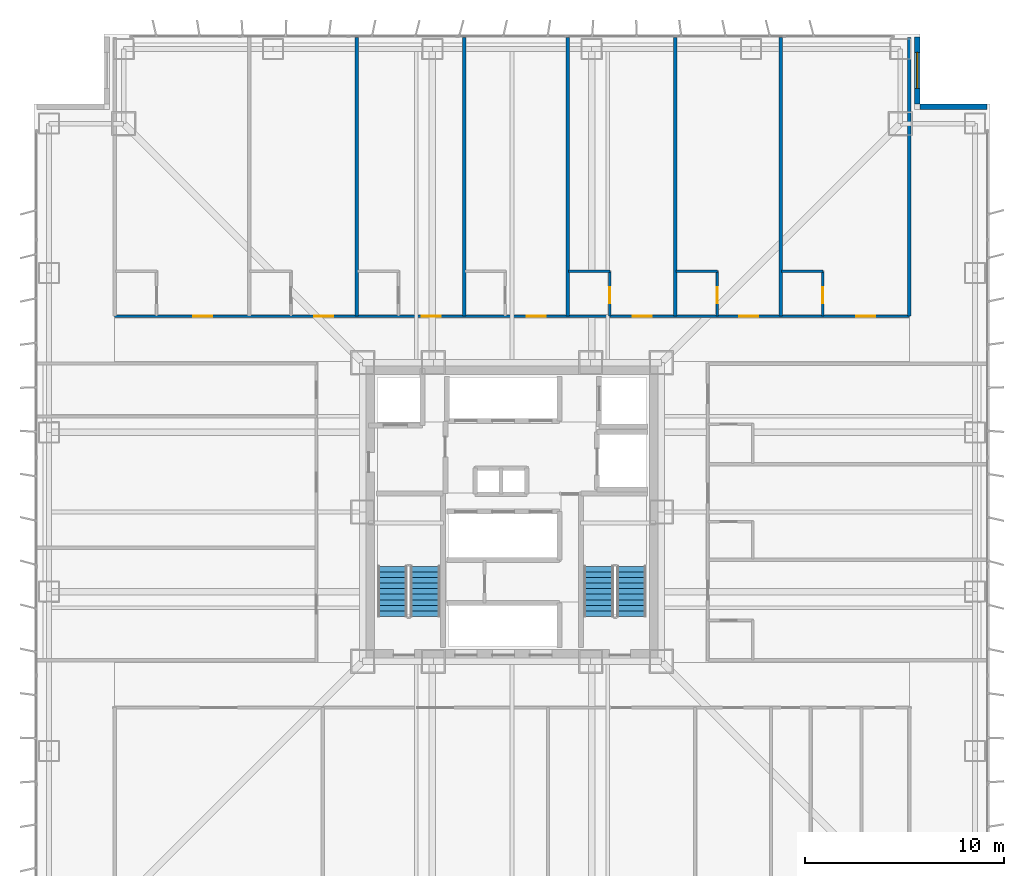
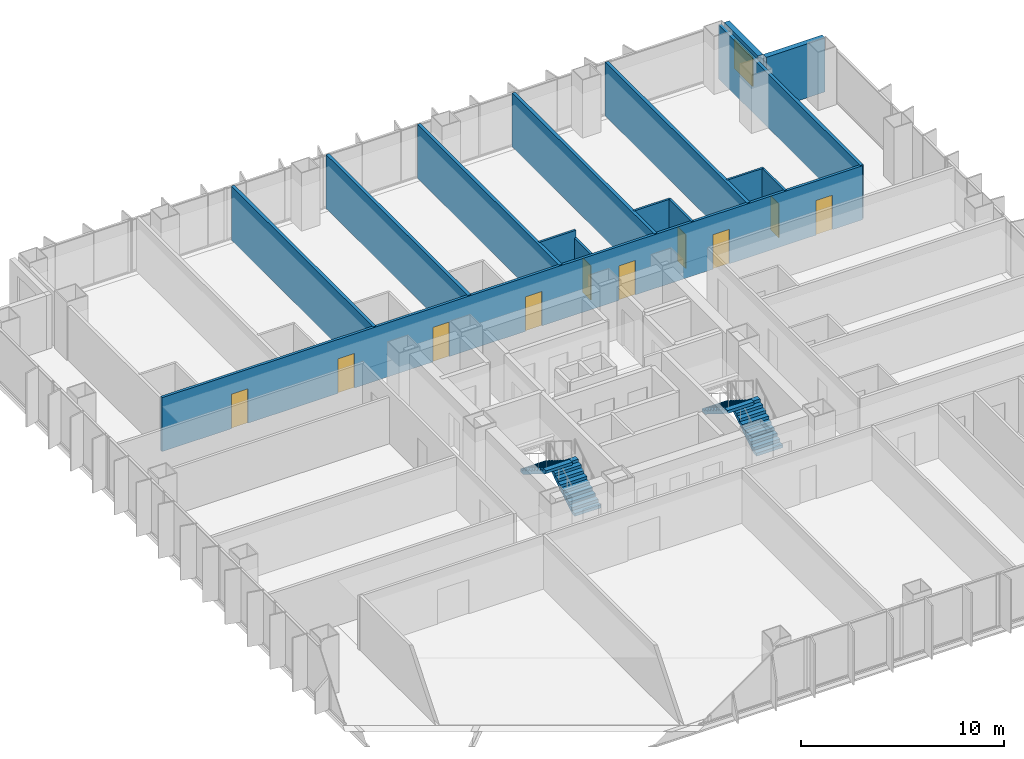
# One storey, part 13 of 17: 15 walls, 10 doors, 4 stair flights, 1 window, 11 openings, 2 elements without a shape of their own.
"""IFC4 building model written with IfcOpenShell, lengths in metres."""

from ifc_helpers import new_model, si_unit, direction, frame, frame_2d, origin, place, context, subcontext, project, spatial, polyline, rectangle, outline, extrude, material, layer, layer_set, type_object, element, fill, aggregate, save


model = new_model("IFC4")

# Units and contexts
model_context = context("Model", 3, precision=1e-05, world=origin(), true_north=direction((0.0, 1.0)))
body_context = subcontext(model_context, "Body", "Model", "MODEL_VIEW")
ifc_project = project(units=[si_unit("LENGTHUNIT", "METRE"), si_unit("AREAUNIT", "SQUARE_METRE"), si_unit("VOLUMEUNIT", "CUBIC_METRE"), si_unit("PLANEANGLEUNIT", "RADIAN"), si_unit("MASSUNIT", "GRAM", prefix="KILO")], contexts=[model_context])

# Site, building, storey
site_placement = place(None, origin())
site = spatial("IfcSite", under=ifc_project, at=site_placement, CompositionType="ELEMENT")
building_placement = place(site_placement, origin())
building = spatial("IfcBuilding", under=site, at=building_placement, Name="Trevonay Congress Spire", CompositionType="ELEMENT")
storey_placement = place(building_placement, frame((0.0, 0.0, 69.0)))
storey = spatial("IfcBuildingStorey", under=building, at=storey_placement, Name="L17", CompositionType="ELEMENT", Elevation=69.0)

# Wall, opening, door
ifc_material_1 = material(Name="Concrete C40/50", Category="concrete")
ifc_layer_1 = layer(ifc_material_1, 0.1201171875, Name="Concrete C40/50")
ifc_layer_set_1 = layer_set([ifc_layer_1], Name="Concrete C40/50")
wall_type_1 = type_object("IfcWallType", Name="WAL-BATH-120", PredefinedType="PLUMBINGWALL", material=ifc_layer_set_1)
wall_1_placement = place(storey_placement, frame((4.89990234375, 9.830078125, 0.0), z_axis=(0.0, 0.0, 1.0), x_axis=(0.0, 1.0, 0.0)))
wall_1 = element("IfcWall", 1, at=wall_1_placement, inside=storey, type_object=wall_type_1, Name="L17 interior wall WH-L17N-BS5", PredefinedType="PLUMBINGWALL", context=body_context, shape_type="SweptSolid", body=[
    extrude(rectangle(XDim=2.25, YDim=0.1201171875, at=frame_2d((1.125, 0.0))), origin(), (0.0, 0.0, 1.0), 2.818115234375),
])
opening_1_placement = place(wall_1_placement, frame((0.64990234375, 0.0, 0.0)))
opening_1 = element("IfcOpeningElement", 2, at=opening_1_placement, cuts=wall_1, Name="Opening D11", PredefinedType="OPENING", context=body_context, shape_type="SweptSolid", body=[
    extrude(rectangle(XDim=0.800048828125, YDim=2.050048828125, at=frame_2d((0.39990234375, 1.02490234375))), frame((0.0, 0.070068359375, 0.0), z_axis=(0.0, -1.0, 0.0), x_axis=(1.0, 0.0, 0.0)), (0.0, 0.0, 1.0), 0.14013671875),
])
ifc_material_2 = material(Name="Pale Anodised Aluminium EN AW-6063-T6", Category="aluminium")
door_type_1 = type_object("IfcDoorType", Name="DOR-BATH-80", OperationType="NOTDEFINED", PredefinedType="DOOR", material=ifc_material_2)
door_1_placement = place(opening_1_placement, origin())
door_1 = element("IfcDoor", 3, at=door_1_placement, inside=storey, type_object=door_type_1, Name="L17 En-suite Bathroom Door", OperationType="SINGLE_SWING_RIGHT", OverallHeight=2.050048828125, OverallWidth=0.800048828125, PredefinedType="DOOR", context=body_context, shape_type="SweptSolid", body=[
    extrude(rectangle(XDim=0.800048828125, YDim=2.050048828125, at=frame_2d((0.39990234375, 1.02490234375))), frame((0.0, 0.02490234375, 0.0), z_axis=(0.0, -1.0, 0.0), x_axis=(1.0, 0.0, 0.0)), (0.0, 0.0, 1.0), 0.050048828125),
])
fill(opening_1, door_1)

# Wall
wall_2_placement = place(storey_placement, frame((2.830078125, 12.080078125, 0.0), z_axis=(0.0, 0.0, 1.0), x_axis=(1.0, 0.0, 0.0)))
element("IfcWall", 4, at=wall_2_placement, inside=storey, type_object=wall_type_1, Name="L17 interior wall WH-L17N-BF5", PredefinedType="PLUMBINGWALL", context=body_context, shape_type="SweptSolid", body=[
    extrude(rectangle(XDim=2.099853515625, YDim=0.1201171875, at=frame_2d((1.0498046875, 0.0))), origin(), (0.0, 0.0, 1.0), 3.25),
])

# Wall, opening, door
wall_3_placement = place(storey_placement, frame((10.300048828125, 9.830078125, 0.0), z_axis=(0.0, 0.0, 1.0), x_axis=(0.0, 1.0, 0.0)))
wall_3 = element("IfcWall", 5, at=wall_3_placement, inside=storey, type_object=wall_type_1, Name="L17 interior wall WH-L17N-BS6", PredefinedType="PLUMBINGWALL", context=body_context, shape_type="SweptSolid", body=[
    extrude(rectangle(XDim=2.25, YDim=0.1201171875, at=frame_2d((1.125, 0.0))), origin(), (0.0, 0.0, 1.0), 3.25),
])
opening_2_placement = place(wall_3_placement, frame((0.64990234375, 0.0, 0.0)))
opening_2 = element("IfcOpeningElement", 6, at=opening_2_placement, cuts=wall_3, Name="Opening D11", PredefinedType="OPENING", context=body_context, shape_type="SweptSolid", body=[
    extrude(rectangle(XDim=0.800048828125, YDim=2.050048828125, at=frame_2d((0.39990234375, 1.02490234375))), frame((0.0, 0.070068359375, 0.0), z_axis=(0.0, -1.0, 0.0), x_axis=(1.0, 0.0, 0.0)), (0.0, 0.0, 1.0), 0.14013671875),
])
door_2_placement = place(opening_2_placement, origin())
door_2 = element("IfcDoor", 7, at=door_2_placement, inside=storey, type_object=door_type_1, Name="L17 En-suite Bathroom Door", OperationType="SINGLE_SWING_LEFT", OverallHeight=2.050048828125, OverallWidth=0.800048828125, PredefinedType="DOOR", context=body_context, shape_type="SweptSolid", body=[
    extrude(rectangle(XDim=0.800048828125, YDim=2.050048828125, at=frame_2d((0.39990234375, 1.02490234375))), frame((0.0, 0.02490234375, 0.0), z_axis=(0.0, -1.0, 0.0), x_axis=(1.0, 0.0, 0.0)), (0.0, 0.0, 1.0), 0.050048828125),
])
fill(opening_2, door_2)

# Wall
wall_4_placement = place(storey_placement, frame((8.22998046875, 12.080078125, 0.0), z_axis=(0.0, 0.0, 1.0), x_axis=(1.0, 0.0, 0.0)))
element("IfcWall", 8, at=wall_4_placement, inside=storey, type_object=wall_type_1, Name="L17 interior wall WH-L17N-BF6", PredefinedType="PLUMBINGWALL", context=body_context, shape_type="SweptSolid", body=[
    extrude(rectangle(XDim=2.10009765625, YDim=0.1201171875, at=frame_2d((1.050048828125, 0.0))), origin(), (0.0, 0.0, 1.0), 3.25),
])

# Wall, opening, door
wall_5_placement = place(storey_placement, frame((15.60009765625, 9.830078125, 0.0), z_axis=(0.0, 0.0, 1.0), x_axis=(0.0, 1.0, 0.0)))
wall_5 = element("IfcWall", 9, at=wall_5_placement, inside=storey, type_object=wall_type_1, Name="L17 interior wall WH-L17N-BS7", PredefinedType="PLUMBINGWALL", context=body_context, shape_type="SweptSolid", body=[
    extrude(rectangle(XDim=2.25, YDim=0.1201171875, at=frame_2d((1.125, 0.0))), origin(), (0.0, 0.0, 1.0), 3.25),
])
opening_3_placement = place(wall_5_placement, frame((0.64990234375, 0.0, 0.0)))
opening_3 = element("IfcOpeningElement", 10, at=opening_3_placement, cuts=wall_5, Name="Opening D11", PredefinedType="OPENING", context=body_context, shape_type="SweptSolid", body=[
    extrude(rectangle(XDim=0.800048828125, YDim=2.050048828125, at=frame_2d((0.39990234375, 1.02490234375))), frame((0.0, 0.070068359375, 0.0), z_axis=(0.0, -1.0, 0.0), x_axis=(1.0, 0.0, 0.0)), (0.0, 0.0, 1.0), 0.14013671875),
])
door_3_placement = place(opening_3_placement, origin())
door_3 = element("IfcDoor", 11, at=door_3_placement, inside=storey, type_object=door_type_1, Name="L17 En-suite Bathroom Door", OperationType="SINGLE_SWING_RIGHT", OverallHeight=2.050048828125, OverallWidth=0.800048828125, PredefinedType="DOOR", context=body_context, shape_type="SweptSolid", body=[
    extrude(rectangle(XDim=0.800048828125, YDim=2.050048828125, at=frame_2d((0.39990234375, 1.02490234375))), frame((0.0, 0.02490234375, 0.0), z_axis=(0.0, -1.0, 0.0), x_axis=(1.0, 0.0, 0.0)), (0.0, 0.0, 1.0), 0.050048828125),
])
fill(opening_3, door_3)

# Wall
wall_6_placement = place(storey_placement, frame((13.530029296875, 12.080078125, 0.0), z_axis=(0.0, 0.0, 1.0), x_axis=(1.0, 0.0, 0.0)))
element("IfcWall", 12, at=wall_6_placement, inside=storey, type_object=wall_type_1, Name="L17 interior wall WH-L17N-BF7", PredefinedType="PLUMBINGWALL", context=body_context, shape_type="SweptSolid", body=[
    extrude(rectangle(XDim=2.099853515625, YDim=0.1201171875, at=frame_2d((1.0498046875, 0.0))), origin(), (0.0, 0.0, 1.0), 3.25),
])

# Wall, openings, doors
ifc_layer_2 = layer(ifc_material_1, 0.14990234375, Name="Concrete C40/50")
ifc_layer_set_2 = layer_set([ifc_layer_2], Name="Concrete C40/50")
wall_type_2 = type_object("IfcWallType", Name="WAL-CORR-150", PredefinedType="PARTITIONING", material=ifc_layer_set_2)
wall_7_placement = place(storey_placement, frame((-19.949951171875, 9.830078125, 0.0), z_axis=(0.0, 0.0, 1.0), x_axis=(1.0, 0.0, 0.0)))
wall_7 = element("IfcWall", 13, at=wall_7_placement, inside=storey, type_object=wall_type_2, Name="L17 interior wall WH-L17N-COR", PredefinedType="PARTITIONING", context=body_context, shape_type="SweptSolid", body=[
    extrude(rectangle(XDim=39.89990234375, YDim=0.14990234375, at=frame_2d((19.949951171875, 0.0))), origin(), (0.0, 0.0, 1.0), 3.25),
])
opening_4_placement = place(wall_7_placement, frame((3.945068359375, 0.0, 0.0)))
opening_4 = element("IfcOpeningElement", 14, at=opening_4_placement, cuts=wall_7, Name="Opening D08", PredefinedType="OPENING", context=body_context, shape_type="SweptSolid", body=[
    extrude(rectangle(XDim=0.949951171875, YDim=2.080078125, at=frame_2d((0.47509765625, 1.0400390625))), frame((0.0, 0.0849609375, 0.0), z_axis=(0.0, -1.0, 0.0), x_axis=(1.0, 0.0, 0.0)), (0.0, 0.0, 1.0), 0.169921875),
])
opening_5_placement = place(wall_7_placement, frame((10.02001953125, 0.0, 0.0)))
opening_5 = element("IfcOpeningElement", 15, at=opening_5_placement, cuts=wall_7, Name="Opening D08", PredefinedType="OPENING", context=body_context, shape_type="SweptSolid", body=[
    extrude(rectangle(XDim=0.949951171875, YDim=2.080078125, at=frame_2d((0.47509765625, 1.0400390625))), frame((0.0, 0.0849609375, 0.0), z_axis=(0.0, -1.0, 0.0), x_axis=(1.0, 0.0, 0.0)), (0.0, 0.0, 1.0), 0.169921875),
])
opening_6_placement = place(wall_7_placement, frame((15.419921875, 0.0, 0.0)))
opening_6 = element("IfcOpeningElement", 16, at=opening_6_placement, cuts=wall_7, Name="Opening D08", PredefinedType="OPENING", context=body_context, shape_type="SweptSolid", body=[
    extrude(rectangle(XDim=0.949951171875, YDim=2.080078125, at=frame_2d((0.47509765625, 1.0400390625))), frame((0.0, 0.0849609375, 0.0), z_axis=(0.0, -1.0, 0.0), x_axis=(1.0, 0.0, 0.0)), (0.0, 0.0, 1.0), 0.169921875),
])
opening_7_placement = place(wall_7_placement, frame((20.702392578125, 0.0, 0.0)))
opening_7 = element("IfcOpeningElement", 17, at=opening_7_placement, cuts=wall_7, Name="Opening D08", PredefinedType="OPENING", context=body_context, shape_type="SweptSolid", body=[
    extrude(rectangle(XDim=0.949951171875, YDim=2.080078125, at=frame_2d((0.47509765625, 1.0400390625))), frame((0.0, 0.0849609375, 0.0), z_axis=(0.0, -1.0, 0.0), x_axis=(1.0, 0.0, 0.0)), (0.0, 0.0, 1.0), 0.169921875),
])
opening_8_placement = place(wall_7_placement, frame((26.02001953125, 0.0, 0.0)))
opening_8 = element("IfcOpeningElement", 18, at=opening_8_placement, cuts=wall_7, Name="Opening D08", PredefinedType="OPENING", context=body_context, shape_type="SweptSolid", body=[
    extrude(rectangle(XDim=0.949951171875, YDim=2.080078125, at=frame_2d((0.47509765625, 1.0400390625))), frame((0.0, 0.0849609375, 0.0), z_axis=(0.0, -1.0, 0.0), x_axis=(1.0, 0.0, 0.0)), (0.0, 0.0, 1.0), 0.169921875),
])
opening_9_placement = place(wall_7_placement, frame((31.3701171875, 0.0, 0.0)))
opening_9 = element("IfcOpeningElement", 19, at=opening_9_placement, cuts=wall_7, Name="Opening D08", PredefinedType="OPENING", context=body_context, shape_type="SweptSolid", body=[
    extrude(rectangle(XDim=0.949951171875, YDim=2.080078125, at=frame_2d((0.47509765625, 1.0400390625))), frame((0.0, 0.0849609375, 0.0), z_axis=(0.0, -1.0, 0.0), x_axis=(1.0, 0.0, 0.0)), (0.0, 0.0, 1.0), 0.169921875),
])
opening_10_placement = place(wall_7_placement, frame((37.2451171875, 0.0, 0.0)))
opening_10 = element("IfcOpeningElement", 20, at=opening_10_placement, cuts=wall_7, Name="Opening D08", PredefinedType="OPENING", context=body_context, shape_type="SweptSolid", body=[
    extrude(rectangle(XDim=0.949951171875, YDim=2.080078125, at=frame_2d((0.47509765625, 1.0400390625))), frame((0.0, 0.0849609375, 0.0), z_axis=(0.0, -1.0, 0.0), x_axis=(1.0, 0.0, 0.0)), (0.0, 0.0, 1.0), 0.169921875),
])
door_type_2 = type_object("IfcDoorType", Name="DOR-SUITE-95", OperationType="NOTDEFINED", PredefinedType="DOOR", material=ifc_material_2)
door_4_placement = place(opening_4_placement, origin())
door_4 = element("IfcDoor", 21, at=door_4_placement, inside=storey, type_object=door_type_2, Name="L17 Corner Hotel Suite Entrance Door", OperationType="SINGLE_SWING_LEFT", OverallHeight=2.080078125, OverallWidth=0.949951171875, PredefinedType="DOOR", context=body_context, shape_type="SweptSolid", body=[
    extrude(rectangle(XDim=0.949951171875, YDim=2.080078125, at=frame_2d((0.47509765625, 1.0400390625))), frame((0.0, 0.02490234375, 0.0), z_axis=(0.0, -1.0, 0.0), x_axis=(1.0, 0.0, 0.0)), (0.0, 0.0, 1.0), 0.050048828125),
])
fill(opening_4, door_4)
door_5_placement = place(opening_5_placement, origin())
door_5 = element("IfcDoor", 22, at=door_5_placement, inside=storey, type_object=door_type_2, Name="L17 Hotel Guest Room Entrance Door", OperationType="SINGLE_SWING_RIGHT", OverallHeight=2.080078125, OverallWidth=0.949951171875, PredefinedType="DOOR", context=body_context, shape_type="SweptSolid", body=[
    extrude(rectangle(XDim=0.949951171875, YDim=2.080078125, at=frame_2d((0.47509765625, 1.0400390625))), frame((0.0, 0.02490234375, 0.0), z_axis=(0.0, -1.0, 0.0), x_axis=(1.0, 0.0, 0.0)), (0.0, 0.0, 1.0), 0.050048828125),
])
fill(opening_5, door_5)
door_6_placement = place(opening_6_placement, origin())
door_6 = element("IfcDoor", 23, at=door_6_placement, inside=storey, type_object=door_type_2, Name="L17 Hotel Guest Room Entrance Door", OperationType="SINGLE_SWING_LEFT", OverallHeight=2.080078125, OverallWidth=0.949951171875, PredefinedType="DOOR", context=body_context, shape_type="SweptSolid", body=[
    extrude(rectangle(XDim=0.949951171875, YDim=2.080078125, at=frame_2d((0.47509765625, 1.0400390625))), frame((0.0, 0.02490234375, 0.0), z_axis=(0.0, -1.0, 0.0), x_axis=(1.0, 0.0, 0.0)), (0.0, 0.0, 1.0), 0.050048828125),
])
fill(opening_6, door_6)
door_7_placement = place(opening_7_placement, origin())
door_7 = element("IfcDoor", 24, at=door_7_placement, inside=storey, type_object=door_type_2, Name="L17 Hotel Guest Room Entrance Door", OperationType="SINGLE_SWING_RIGHT", OverallHeight=2.080078125, OverallWidth=0.949951171875, PredefinedType="DOOR", context=body_context, shape_type="SweptSolid", body=[
    extrude(rectangle(XDim=0.949951171875, YDim=2.080078125, at=frame_2d((0.47509765625, 1.0400390625))), frame((0.0, 0.02490234375, 0.0), z_axis=(0.0, -1.0, 0.0), x_axis=(1.0, 0.0, 0.0)), (0.0, 0.0, 1.0), 0.050048828125),
])
fill(opening_7, door_7)
door_8_placement = place(opening_8_placement, origin())
door_8 = element("IfcDoor", 25, at=door_8_placement, inside=storey, type_object=door_type_2, Name="L17 Hotel Guest Room Entrance Door", OperationType="SINGLE_SWING_LEFT", OverallHeight=2.080078125, OverallWidth=0.949951171875, PredefinedType="DOOR", context=body_context, shape_type="SweptSolid", body=[
    extrude(rectangle(XDim=0.949951171875, YDim=2.080078125, at=frame_2d((0.47509765625, 1.0400390625))), frame((0.0, 0.02490234375, 0.0), z_axis=(0.0, -1.0, 0.0), x_axis=(1.0, 0.0, 0.0)), (0.0, 0.0, 1.0), 0.050048828125),
])
fill(opening_8, door_8)
door_9_placement = place(opening_9_placement, origin())
door_9 = element("IfcDoor", 26, at=door_9_placement, inside=storey, type_object=door_type_2, Name="L17 Hotel Guest Room Entrance Door", OperationType="SINGLE_SWING_RIGHT", OverallHeight=2.080078125, OverallWidth=0.949951171875, PredefinedType="DOOR", context=body_context, shape_type="SweptSolid", body=[
    extrude(rectangle(XDim=0.949951171875, YDim=2.080078125, at=frame_2d((0.47509765625, 1.0400390625))), frame((0.0, 0.02490234375, 0.0), z_axis=(0.0, -1.0, 0.0), x_axis=(1.0, 0.0, 0.0)), (0.0, 0.0, 1.0), 0.050048828125),
])
fill(opening_9, door_9)
door_10_placement = place(opening_10_placement, origin())
door_10 = element("IfcDoor", 27, at=door_10_placement, inside=storey, type_object=door_type_2, Name="L17 Corner Hotel Suite Entrance Door", OperationType="SINGLE_SWING_LEFT", OverallHeight=2.080078125, OverallWidth=0.949951171875, PredefinedType="DOOR", context=body_context, shape_type="SweptSolid", body=[
    extrude(rectangle(XDim=0.949951171875, YDim=2.080078125, at=frame_2d((0.47509765625, 1.0400390625))), frame((0.0, 0.02490234375, 0.0), z_axis=(0.0, -1.0, 0.0), x_axis=(1.0, 0.0, 0.0)), (0.0, 0.0, 1.0), 0.050048828125),
])
fill(opening_10, door_10)

# Wall, opening, window
ifc_material_3 = material(Name="Precast concrete C40/50", Category="concrete")
ifc_layer_3 = layer(ifc_material_3, 0.300048828125, Name="Precast concrete C40/50")
ifc_layer_set_3 = layer_set([ifc_layer_3], Name="Precast concrete C40/50")
wall_type_3 = type_object("IfcWallType", Name="WAL-EXT-PRECAST-300", PredefinedType="SOLIDWALL", material=ifc_layer_set_3)
wall_8_placement = place(storey_placement, frame((20.35009765625, 23.85009765625, 0.0), z_axis=(0.0, 0.0, 1.0), x_axis=(0.0, -1.0, 0.0)))
wall_8 = element("IfcWall", 28, at=wall_8_placement, inside=storey, type_object=wall_type_3, Name="L17 NE re-entrant notch exterior wall 1", PredefinedType="SOLIDWALL", context=body_context, shape_type="SweptSolid", body=[
    extrude(rectangle(XDim=3.35009765625, YDim=0.300048828125, at=frame_2d((1.675048828125, 0.0))), origin(), (0.0, 0.0, 1.0), 3.25),
])
opening_11_placement = place(wall_8_placement, frame((0.77490234375, 0.0, 0.89990234375)))
opening_11 = element("IfcOpeningElement", 29, at=opening_11_placement, cuts=wall_8, Name="Opening WN01", PredefinedType="OPENING", context=body_context, shape_type="SweptSolid", body=[
    extrude(rectangle(XDim=1.800048828125, YDim=1.800048828125, at=frame_2d((0.89990234375, 0.89990234375))), frame((0.0, 0.16015625, 0.0), z_axis=(0.0, -1.0, 0.0), x_axis=(1.0, 0.0, 0.0)), (0.0, 0.0, 1.0), 0.320068359375),
])
ifc_material_4 = material(Name="Insulated Low-E Vision Glass IGU", Category="glass")
window_type = type_object("IfcWindowType", Name="WIN-HOTEL-180X180", PartitioningType="SINGLE_PANEL", PredefinedType="WINDOW", material=ifc_material_4)
window_placement = place(opening_11_placement, origin())
window = element("IfcWindow", 30, at=window_placement, inside=storey, type_object=window_type, Name="L17 NE corner notch window", OverallHeight=1.800048828125, OverallWidth=1.800048828125, PartitioningType="SINGLE_PANEL", PredefinedType="WINDOW", context=body_context, shape_type="SweptSolid", body=[
    extrude(rectangle(XDim=1.800048828125, YDim=1.800048828125, at=frame_2d((0.89990234375, 0.89990234375))), frame((0.0, 0.030029296875, 0.0), z_axis=(0.0, -1.0, 0.0), x_axis=(1.0, 0.0, 0.0)), (0.0, 0.0, 1.0), 0.06005859375),
])
fill(opening_11, window)

# Walls
wall_9_placement = place(storey_placement, frame((23.85009765625, 20.35009765625, 0.0), z_axis=(0.0, 0.0, 1.0), x_axis=(-1.0, 0.0, 0.0)))
element("IfcWall", 31, at=wall_9_placement, inside=storey, type_object=wall_type_3, Name="L17 NE re-entrant notch exterior wall 2", PredefinedType="SOLIDWALL", context=body_context, shape_type="SweptSolid", body=[
    extrude(rectangle(XDim=3.35009765625, YDim=0.300048828125, at=frame_2d((1.675048828125, 0.0))), origin(), (0.0, 0.0, 1.0), 3.25),
])
ifc_layer_4 = layer(ifc_material_1, 0.179931640625, Name="Concrete C40/50")
ifc_layer_set_4 = layer_set([ifc_layer_4], Name="Concrete C40/50")
wall_type_4 = type_object("IfcWallType", Name="WAL-HOTEL-180", PredefinedType="PARTITIONING", material=ifc_layer_set_4)
for number, where, z_axis, x_axis, name in (
    (32, (-7.800048828125, 9.830078125, 0.0), (0.0, 0.0, 1.0), (0.0, 1.0, 0.0), "L17 interior wall WH-L17N-DIV3"),
    (33, (-2.39990234375, 9.830078125, 0.0), (0.0, 0.0, 1.0), (0.0, 1.0, 0.0), "L17 interior wall WH-L17N-DIV4"),
    (34, (2.800048828125, 9.830078125, 0.0), (0.0, 0.0, 1.0), (0.0, 1.0, 0.0), "L17 interior wall WH-L17N-DIV5"),
    (35, (8.199951171875, 9.830078125, 0.0), (0.0, 0.0, 1.0), (0.0, 1.0, 0.0), "L17 interior wall WH-L17N-DIV6"),
    (36, (13.5, 9.830078125, 0.0), (0.0, 0.0, 1.0), (0.0, 1.0, 0.0), "L17 interior wall WH-L17N-DIV7"),
    (37, (19.949951171875, 9.830078125, 0.0), (0.0, 0.0, 1.0), (0.0, 1.0, 0.0), "L17 interior wall WH-L17N-DIV8"),
):
    element("IfcWall", number, at=place(storey_placement, frame(where, z_axis=z_axis, x_axis=x_axis)), inside=storey, type_object=wall_type_4, Name=name, PredefinedType="PARTITIONING", context=body_context, shape_type="SweptSolid", body=[
        extrude(rectangle(XDim=13.989990234375, YDim=0.179931640625, at=frame_2d((6.9951171875, 0.0))), origin(), (0.0, 0.0, 1.0), 3.25),
    ])

# Stair, stair flights
stair_type_1 = type_object("IfcStairType", Name="STR-ST-1", PredefinedType="HALF_TURN_STAIR", material=ifc_material_1)
stair_1_placement = place(storey_placement, origin())
stair_1 = element("IfcStair", 38, at=stair_1_placement, inside=storey, type_object=stair_type_1, Name="L17 Protected Exit Stair ST-1", PredefinedType="HALF_TURN_STAIR")
stair_flight_type_1 = type_object("IfcStairFlightType", Name="SFL-ST-1", PredefinedType="STRAIGHT", material=ifc_material_1)
stair_flight_1_placement = place(storey_placement, frame((-4.35009765625, -5.25, 0.0), z_axis=(0.0, 0.0, 1.0), x_axis=(0.0, 1.0, 0.0)))
stair_flight_1 = element("IfcStairFlight", 39, at=stair_flight_1_placement, type_object=stair_flight_type_1, Name="ST-1 flight 1", NumberOfRisers=10, NumberOfTreads=9, PredefinedType="STRAIGHT", RiserHeight=0.175, TreadLength=0.28, context=body_context, shape_type="SweptSolid", body=[
    extrude(outline(polyline([(0.0, 0.0), (0.0, 0.175048828125), (0.280029296875, 0.175048828125), (0.280029296875, 0.35009765625), (0.56005859375, 0.35009765625), (0.56005859375, 0.52490234375), (0.840087890625, 0.52490234375), (0.840087890625, 0.699951171875), (1.1201171875, 0.699951171875), (1.1201171875, 0.875), (1.39990234375, 0.875), (1.39990234375, 1.050048828125), (1.679931640625, 1.050048828125), (1.679931640625, 1.22509765625), (1.9599609375, 1.22509765625), (1.9599609375, 1.39990234375), (2.239990234375, 1.39990234375), (2.239990234375, 1.574951171875), (2.52001953125, 1.574951171875), (2.52001953125, 1.75), (2.52001953125, 1.398193359375), (0.28271484375, 0.0), (0.0, 0.0)])), frame((0.0, 0.75, 0.0), z_axis=(0.0, -1.0, 0.0), x_axis=(1.0, 0.0, 0.0)), (0.0, 0.0, 1.0), 1.5),
])
stair_flight_2_placement = place(storey_placement, frame((-6.0, -2.72998046875, 1.75), z_axis=(0.0, 0.0, 1.0), x_axis=(0.0, -1.0, 0.0)))
stair_flight_2 = element("IfcStairFlight", 40, at=stair_flight_2_placement, type_object=stair_flight_type_1, Name="ST-1 flight 2", NumberOfRisers=10, NumberOfTreads=9, PredefinedType="STRAIGHT", RiserHeight=0.175, TreadLength=0.28, context=body_context, shape_type="SweptSolid", body=[
    extrude(outline(polyline([(0.0, 0.0), (0.0, 0.175048828125), (0.280029296875, 0.175048828125), (0.280029296875, 0.35009765625), (0.56005859375, 0.35009765625), (0.56005859375, 0.52490234375), (0.840087890625, 0.52490234375), (0.840087890625, 0.699951171875), (1.1201171875, 0.699951171875), (1.1201171875, 0.875), (1.39990234375, 0.875), (1.39990234375, 1.050048828125), (1.679931640625, 1.050048828125), (1.679931640625, 1.22509765625), (1.9599609375, 1.22509765625), (1.9599609375, 1.39990234375), (2.239990234375, 1.39990234375), (2.239990234375, 1.574951171875), (2.52001953125, 1.574951171875), (2.52001953125, 1.75), (2.52001953125, 1.398193359375), (0.28271484375, 0.0), (0.0, 0.0)])), frame((0.0, 0.75, 0.0), z_axis=(0.0, -1.0, 0.0), x_axis=(1.0, 0.0, 0.0)), (0.0, 0.0, 1.0), 1.5),
])
aggregate(stair_1, [stair_flight_1, stair_flight_2])

stair_type_2 = type_object("IfcStairType", Name="STR-ST-2", PredefinedType="HALF_TURN_STAIR", material=ifc_material_1)
stair_2_placement = place(storey_placement, origin())
stair_2 = element("IfcStair", 41, at=stair_2_placement, inside=storey, type_object=stair_type_2, Name="L17 Protected Exit Stair ST-2", PredefinedType="HALF_TURN_STAIR")
stair_flight_type_2 = type_object("IfcStairFlightType", Name="SFL-ST-2", PredefinedType="STRAIGHT", material=ifc_material_1)
stair_flight_3_placement = place(storey_placement, frame((6.0, -5.25, 0.0), z_axis=(0.0, 0.0, 1.0), x_axis=(0.0, 1.0, 0.0)))
stair_flight_3 = element("IfcStairFlight", 42, at=stair_flight_3_placement, type_object=stair_flight_type_2, Name="ST-2 flight 1", NumberOfRisers=10, NumberOfTreads=9, PredefinedType="STRAIGHT", RiserHeight=0.175, TreadLength=0.28, context=body_context, shape_type="SweptSolid", body=[
    extrude(outline(polyline([(0.0, 0.0), (0.0, 0.175048828125), (0.280029296875, 0.175048828125), (0.280029296875, 0.35009765625), (0.56005859375, 0.35009765625), (0.56005859375, 0.52490234375), (0.840087890625, 0.52490234375), (0.840087890625, 0.699951171875), (1.1201171875, 0.699951171875), (1.1201171875, 0.875), (1.39990234375, 0.875), (1.39990234375, 1.050048828125), (1.679931640625, 1.050048828125), (1.679931640625, 1.22509765625), (1.9599609375, 1.22509765625), (1.9599609375, 1.39990234375), (2.239990234375, 1.39990234375), (2.239990234375, 1.574951171875), (2.52001953125, 1.574951171875), (2.52001953125, 1.75), (2.52001953125, 1.398193359375), (0.28271484375, 0.0), (0.0, 0.0)])), frame((0.0, 0.75, 0.0), z_axis=(0.0, -1.0, 0.0), x_axis=(1.0, 0.0, 0.0)), (0.0, 0.0, 1.0), 1.5),
])
stair_flight_4_placement = place(storey_placement, frame((4.35009765625, -2.72998046875, 1.75), z_axis=(0.0, 0.0, 1.0), x_axis=(0.0, -1.0, 0.0)))
stair_flight_4 = element("IfcStairFlight", 43, at=stair_flight_4_placement, type_object=stair_flight_type_2, Name="ST-2 flight 2", NumberOfRisers=10, NumberOfTreads=9, PredefinedType="STRAIGHT", RiserHeight=0.175, TreadLength=0.28, context=body_context, shape_type="SweptSolid", body=[
    extrude(outline(polyline([(0.0, 0.0), (0.0, 0.175048828125), (0.280029296875, 0.175048828125), (0.280029296875, 0.35009765625), (0.56005859375, 0.35009765625), (0.56005859375, 0.52490234375), (0.840087890625, 0.52490234375), (0.840087890625, 0.699951171875), (1.1201171875, 0.699951171875), (1.1201171875, 0.875), (1.39990234375, 0.875), (1.39990234375, 1.050048828125), (1.679931640625, 1.050048828125), (1.679931640625, 1.22509765625), (1.9599609375, 1.22509765625), (1.9599609375, 1.39990234375), (2.239990234375, 1.39990234375), (2.239990234375, 1.574951171875), (2.52001953125, 1.574951171875), (2.52001953125, 1.75), (2.52001953125, 1.398193359375), (0.28271484375, 0.0), (0.0, 0.0)])), frame((0.0, 0.75, 0.0), z_axis=(0.0, -1.0, 0.0), x_axis=(1.0, 0.0, 0.0)), (0.0, 0.0, 1.0), 1.5),
])
aggregate(stair_2, [stair_flight_3, stair_flight_4])

save(model, "model.ifc")
